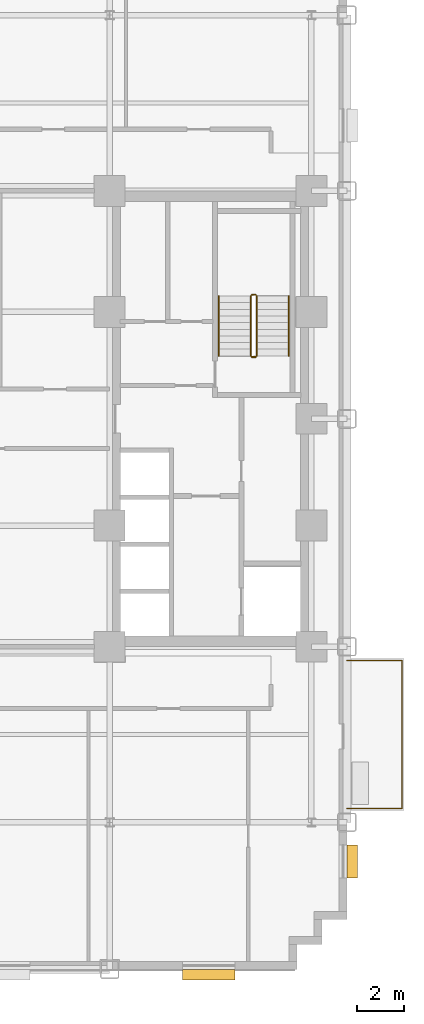
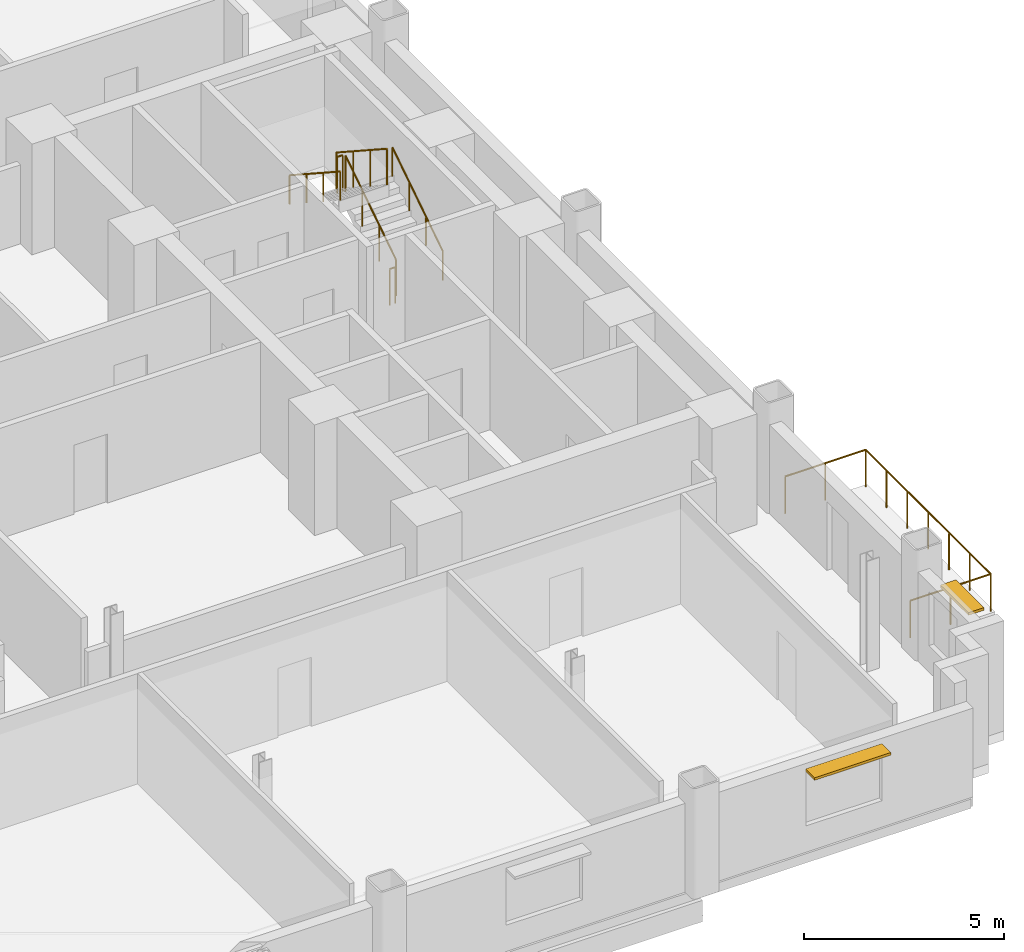
# One storey, part 11 of 12: 7 railings, 2 shading devices.
"""IFC4 building model written with IfcOpenShell, lengths in metres."""

import ifcopenshell
import ifcopenshell.guid

model = None  # the IFC model being written
_history = None  # IfcOwnerHistory: only IFC2X3 demands one
_inside = {}  # id of a spatial element -> (the spatial element, [elements in it])
_under = {}  # id of a project, library or spatial element -> (it, [spatial elements below it])
_declared = {}  # id of a project -> (the project, [libraries it declares])
_typed = {}  # id of a type object -> (the type object, [elements of that type])
_made_of = {}  # id of a material, layer set ... -> (it, [elements and type objects made of it])


def new_model(schema):
    """Start an empty IFC model of exactly this schema.

    Asked for "IFC4X3", IfcOpenShell would pick the latest addendum, in which some entities
    have other attributes; the version numbers below select the first issue.
    IFC2X3 requires an IfcOwnerHistory on every rooted entity: one is made here for all.
    """
    global model, _history
    if schema == "IFC4X3":
        model = ifcopenshell.file(schema_version=(4, 3, 0, 0))
    else:
        model = ifcopenshell.file(schema=schema)
    _inside.clear()
    _under.clear()
    _declared.clear()
    _typed.clear()
    _made_of.clear()
    _history = None
    if model.schema == "IFC2X3":
        org = make("IfcOrganization", Name="unknown")
        user = make(
            "IfcPersonAndOrganization",
            ThePerson=make("IfcPerson", FamilyName="unknown"),
            TheOrganization=org,
        )
        app = make(
            "IfcApplication",
            ApplicationDeveloper=org,
            Version="unknown",
            ApplicationFullName="unknown",
            ApplicationIdentifier="unknown",
        )
        _history = make(
            "IfcOwnerHistory",
            OwningUser=user,
            OwningApplication=app,
            ChangeAction="ADDED",
            CreationDate=0,
        )
    return model


def make(cls, **values):
    """One entity of the class cls with the attributes given. An attribute that is None is left unset."""
    return model.create_entity(
        cls, **{name: value for name, value in values.items() if value is not None}
    )


def rooted(cls, **values):
    """An entity with a GlobalId (a new one), such as an element, a storey or a relation."""
    return make(cls, GlobalId=ifcopenshell.guid.new(), OwnerHistory=_history, **values)


def si_unit(unit_type, name, prefix=None):
    """IfcSIUnit, for example si_unit("LENGTHUNIT", "METRE", prefix="MILLI")."""
    return make("IfcSIUnit", UnitType=unit_type, Prefix=prefix, Name=name)


def assignment(units):
    """IfcUnitAssignment: the units of a project."""
    return None if units is None else make("IfcUnitAssignment", Units=units)


def point(xyz):
    """IfcCartesianPoint."""
    return None if xyz is None else make("IfcCartesianPoint", Coordinates=xyz)


def direction(xyz):
    """IfcDirection."""
    return None if xyz is None else make("IfcDirection", DirectionRatios=xyz)


def frame(location, z_axis=None, x_axis=None):
    """IfcAxis2Placement3D, a coordinate frame: its origin and axes. An axis left out is left unset."""
    return make(
        "IfcAxis2Placement3D",
        Location=point(location),
        Axis=direction(z_axis),
        RefDirection=direction(x_axis),
    )


def frame_2d(location, x_axis=None):
    """IfcAxis2Placement2D, a coordinate frame in the plane: its origin and x axis."""
    return make(
        "IfcAxis2Placement2D", Location=point(location), RefDirection=direction(x_axis)
    )


def origin():
    """The frame at (0, 0, 0) with its axes left unset."""
    return frame((0.0, 0.0, 0.0))


def origin_2d():
    """The frame at (0, 0) in the plane with its x axis left unset."""
    return frame_2d((0.0, 0.0))


def place(relative_to, where):
    """IfcLocalPlacement: puts the frame where relative to a parent placement (None: the world)."""
    return make(
        "IfcLocalPlacement", PlacementRelTo=relative_to, RelativePlacement=where
    )


def context(
    kind, dimensions, precision=None, world=None, true_north=None, identifier=None
):
    """IfcGeometricRepresentationContext, for example the 3D "Model" context."""
    return make(
        "IfcGeometricRepresentationContext",
        ContextIdentifier=identifier,
        ContextType=kind,
        CoordinateSpaceDimension=dimensions,
        Precision=precision,
        WorldCoordinateSystem=world,
        TrueNorth=true_north,
    )


def subcontext(parent, identifier, kind, view, scale=None):
    """IfcGeometricRepresentationSubContext, for example "Body" below "Model"."""
    return make(
        "IfcGeometricRepresentationSubContext",
        ContextIdentifier=identifier,
        ContextType=kind,
        ParentContext=parent,
        TargetScale=scale,
        TargetView=view,
    )


def project(units=None, contexts=None):
    """IfcProject with its units and contexts."""
    return rooted(
        "IfcProject",
        Name="project",
        RepresentationContexts=contexts,
        UnitsInContext=assignment(units),
    )


def spatial(cls, under=None, at=None, **own):
    """A site, building, storey or space (cls), placed at a placement, below another one or the project."""
    s = rooted(cls, ObjectPlacement=at, **own)
    if under is not None:
        _under.setdefault(under.id(), (under, []))[1].append(s)
    return s


def profile(cls, at=None, kind="AREA", **sizes):
    """A parametric profile (cls). Its sizes go by their IFC names, for example OverallWidth=200.0."""
    return make(cls, ProfileType=kind, Position=at, **sizes)


def rectangle(**sizes):
    """IfcRectangleProfileDef."""
    return profile("IfcRectangleProfileDef", **sizes)


def circle(**sizes):
    """IfcCircleProfileDef."""
    return profile("IfcCircleProfileDef", **sizes)


def extrude(swept, where, along, depth):
    """IfcExtrudedAreaSolid: the profile swept, set in the frame where, extruded along a direction by depth."""
    return make(
        "IfcExtrudedAreaSolid",
        SweptArea=swept,
        Position=where,
        ExtrudedDirection=direction(along),
        Depth=depth,
    )


def shape(context_of_items, identifier, shape_type, items):
    """IfcShapeRepresentation: the items that make up one representation, for example the "Body"."""
    return make(
        "IfcShapeRepresentation",
        ContextOfItems=context_of_items,
        RepresentationIdentifier=identifier,
        RepresentationType=shape_type,
        Items=items,
    )


def source(mapping_origin, context_of_items, identifier, shape_type, items):
    """IfcRepresentationMap: a shape defined once, which mapped items show again and again."""
    return make(
        "IfcRepresentationMap",
        MappingOrigin=mapping_origin,
        MappedRepresentation=shape(context_of_items, identifier, shape_type, items),
    )


def transform(
    local_origin,
    x_axis=None,
    y_axis=None,
    z_axis=None,
    scale=None,
    scale2=None,
    scale3=None,
    uniform=True,
):
    """IfcCartesianTransformationOperator3D, or its non-uniform kind. x_axis, y_axis, z_axis: its Axis1, 2, 3."""
    if uniform:
        return make(
            "IfcCartesianTransformationOperator3D",
            Axis1=direction(x_axis),
            Axis2=direction(y_axis),
            LocalOrigin=point(local_origin),
            Scale=scale,
            Axis3=direction(z_axis),
        )
    return make(
        "IfcCartesianTransformationOperator3DnonUniform",
        Axis1=direction(x_axis),
        Axis2=direction(y_axis),
        LocalOrigin=point(local_origin),
        Scale=scale,
        Axis3=direction(z_axis),
        Scale2=scale2,
        Scale3=scale3,
    )


def mapped(mapping_source, mapping_target):
    """IfcMappedItem: shows the shape of a source again, moved by a transform."""
    return make(
        "IfcMappedItem", MappingSource=mapping_source, MappingTarget=mapping_target
    )


def material(Name=None, Category=None):
    """IfcMaterial."""
    return make("IfcMaterial", Name=Name, Category=Category)


def made_of(thing, what):
    """Note that an element or type object is made of a material, layer set ...; save() writes the relation."""
    if what is not None:
        _made_of.setdefault(what.id(), (what, []))[1].append(thing)
    return thing


def type_object(cls, material=None, **own):
    """A type object (cls), such as IfcWallType, which elements share."""
    return made_of(rooted(cls, **own), material)


def type_shapes(of_type, sources):
    """Give a type object the sources (RepresentationMaps) that its elements show as mapped items."""
    of_type.RepresentationMaps = sources


def element(
    cls,
    number,
    at=None,
    inside=None,
    cuts=None,
    type_object=None,
    material=None,
    context=None,
    identifier="Body",
    shape_type=None,
    held_by="IfcProductDefinitionShape",
    body=None,
    shapes=None,
    **own,
):
    """One element of the class cls, such as IfcWall. Its Tag is "e" and its number.

    at: its placement. inside: the storey or other place that contains it. cuts: it is an
    opening in that element (IfcRelVoidsElement). A single representation is given by context,
    identifier, shape_type and body (its items); several are given by shapes. held_by: the class
    of the entity that holds the representations. save() writes the other relations.
    """
    e = rooted(cls, Tag="e%d" % number, ObjectPlacement=at, **own)
    if body is not None:
        shapes = [shape(context, identifier, shape_type, body)]
    if shapes is not None:
        e.Representation = make(held_by, Representations=shapes)
    if inside is not None:
        _inside.setdefault(inside.id(), (inside, []))[1].append(e)
    if cuts is not None:
        rooted(
            "IfcRelVoidsElement", RelatingBuildingElement=cuts, RelatedOpeningElement=e
        )
    if type_object is not None:
        _typed.setdefault(type_object.id(), (type_object, []))[1].append(e)
    return made_of(e, material)


def aggregate(whole, parts):
    """IfcRelAggregates: a whole, such as a stair, and the parts it consists of."""
    return rooted("IfcRelAggregates", RelatingObject=whole, RelatedObjects=parts)


def save(model, path):
    """Write the relations noted so far, then the file.

    IfcRelAggregates (storeys below a building ...), IfcRelContainedInSpatialStructure (elements
    in a storey), IfcRelDefinesByType, IfcRelAssociatesMaterial and IfcRelDeclares: one each for
    every whole, place, type object, material and project.
    """
    for whole, parts in _under.values():
        aggregate(whole, parts)
    for where, things in _inside.values():
        rooted(
            "IfcRelContainedInSpatialStructure",
            RelatedElements=things,
            RelatingStructure=where,
        )
    for kind, things in _typed.values():
        rooted("IfcRelDefinesByType", RelatedObjects=things, RelatingType=kind)
    for what, things in _made_of.values():
        rooted("IfcRelAssociatesMaterial", RelatedObjects=things, RelatingMaterial=what)
    for by, libraries in _declared.values():
        rooted("IfcRelDeclares", RelatingContext=by, RelatedDefinitions=libraries)
    model.write(path)


model = new_model("IFC4")

# Units and contexts
model_context = context("Model", 3, precision=1e-05, world=origin(), true_north=direction((0.0, 1.0)))
body_context = subcontext(model_context, "Body", "Model", "MODEL_VIEW")
ifc_project = project(units=[si_unit("LENGTHUNIT", "METRE"), si_unit("AREAUNIT", "SQUARE_METRE"), si_unit("VOLUMEUNIT", "CUBIC_METRE"), si_unit("PLANEANGLEUNIT", "RADIAN"), si_unit("MASSUNIT", "GRAM", prefix="KILO")], contexts=[model_context])

# Site, building, storey
site_placement = place(None, origin())
site = spatial("IfcSite", under=ifc_project, at=site_placement, CompositionType="ELEMENT")
building_placement = place(site_placement, origin())
building = spatial("IfcBuilding", under=site, at=building_placement, Name="Nuvemarco Arch Tower", CompositionType="ELEMENT")
storey_placement = place(building_placement, frame((0.0, 0.0, 42.199951171875)))
storey = spatial("IfcBuildingStorey", under=building, at=storey_placement, Name="L10", CompositionType="ELEMENT", Elevation=42.199951171875)

# Railings
ifc_material_1 = material(Name="Brushed stainless steel handrail", Category="steel")
railing_type_1 = type_object("IfcRailingType", Name="RL-HANDRAIL-900", PredefinedType="HANDRAIL", material=ifc_material_1)
railing_1_placement = place(storey_placement, frame((16.550048828125, 2.64990234375, 0.1826171875)))
element("IfcRailing", 1, at=railing_1_placement, inside=storey, type_object=railing_type_1, Name="L10 ST-2 stair handrail 1", PredefinedType="HANDRAIL", context=body_context, shape_type="SweptSolid", body=[
    extrude(circle(Radius=0.02392578125, at=origin_2d()), frame((0.0, 0.0, 0.8759765625), z_axis=(0.0, 0.837786554691, 0.545997883492), x_axis=(-1.0, 0.0, 0.0)), (0.0, 0.0, 1.0), 3.008056640625),
    extrude(circle(Radius=0.02099609375, at=origin_2d()), origin(), (0.0, 0.0, 1.0), 0.851806640625),
    extrude(circle(Radius=0.02099609375, at=origin_2d()), frame((0.0, 0.840087890625, 0.54736328125)), (0.0, 0.0, 1.0), 0.851806640625),
    extrude(circle(Radius=0.02099609375, at=origin_2d()), frame((0.0, 1.679931640625, 1.094970703125)), (0.0, 0.0, 1.0), 0.851806640625),
    extrude(circle(Radius=0.02099609375, at=origin_2d()), frame((0.0, 2.52001953125, 1.642333984375)), (0.0, 0.0, 1.0), 0.851806640625),
])
railing_2_placement = place(storey_placement, frame((13.590087890625, 5.169921875, 2.007568359375)))
element("IfcRailing", 2, at=railing_2_placement, inside=storey, type_object=railing_type_1, Name="L10 ST-2 stair handrail 2", PredefinedType="HANDRAIL", context=body_context, shape_type="SweptSolid", body=[
    extrude(circle(Radius=0.02392578125, at=origin_2d()), frame((0.0, 0.0, 0.8759765625), z_axis=(0.0, -0.837749427056, 0.546054848405), x_axis=(1.0, 0.0, 0.0)), (0.0, 0.0, 1.0), 3.008056640625),
    extrude(circle(Radius=0.02099609375, at=origin_2d()), origin(), (0.0, 0.0, 1.0), 0.851806640625),
    extrude(circle(Radius=0.02099609375, at=origin_2d()), frame((0.0, -0.840087890625, 0.547607421875)), (0.0, 0.0, 1.0), 0.851806640625),
    extrude(circle(Radius=0.02099609375, at=origin_2d()), frame((0.0, -1.679931640625, 1.094970703125)), (0.0, 0.0, 1.0), 0.851806640625),
    extrude(circle(Radius=0.02099609375, at=origin_2d()), frame((0.0, -2.52001953125, 1.642578125)), (0.0, 0.0, 1.0), 0.851806640625),
])
ifc_material_2 = material(Name="Painted balustrade steel S355", Category="steel")
railing_type_2 = type_object("IfcRailingType", Name="RL-STAIR-GUARD", PredefinedType="GUARDRAIL", material=ifc_material_2)
railing_3_placement = place(storey_placement, frame((15.199951171875, 2.64990234375, 0.1826171875)))
element("IfcRailing", 3, at=railing_3_placement, inside=storey, type_object=railing_type_2, Name="L10 ST-2 stair guard 1", PredefinedType="GUARDRAIL", context=body_context, shape_type="SweptSolid", body=[
    extrude(circle(Radius=0.02392578125, at=origin_2d()), frame((0.0, 0.0, 1.09619140625), z_axis=(0.0, 0.837786554691, 0.545997883492), x_axis=(-1.0, 0.0, 0.0)), (0.0, 0.0, 1.0), 3.008056640625),
    extrude(circle(Radius=0.02099609375, at=origin_2d()), origin(), (0.0, 0.0, 1.0), 1.072021484375),
    extrude(circle(Radius=0.02099609375, at=origin_2d()), frame((0.0, 0.840087890625, 0.54736328125)), (0.0, 0.0, 1.0), 1.072021484375),
    extrude(circle(Radius=0.02099609375, at=origin_2d()), frame((0.0, 1.679931640625, 1.094970703125)), (0.0, 0.0, 1.0), 1.072021484375),
    extrude(circle(Radius=0.02099609375, at=origin_2d()), frame((0.0, 2.52001953125, 1.642333984375)), (0.0, 0.0, 1.0), 1.072021484375),
])
railing_4_placement = place(storey_placement, frame((15.14990234375, 5.219970703125, 1.824951171875)))
element("IfcRailing", 4, at=railing_4_placement, inside=storey, type_object=railing_type_2, Name="L10 ST-2 stair guard 2", PredefinedType="GUARDRAIL", context=body_context, shape_type="SweptSolid", body=[
    extrude(circle(Radius=0.02392578125, at=origin_2d()), frame((0.0, 0.0, 1.09619140625), z_axis=(-1.0, 0.0, 0.0), x_axis=(0.0, -1.0, 0.0)), (0.0, 0.0, 1.0), 0.159912109375),
    extrude(circle(Radius=0.02099609375, at=origin_2d()), origin(), (0.0, 0.0, 1.0), 1.072021484375),
    extrude(circle(Radius=0.02099609375, at=origin_2d()), frame((-0.159912109375, 0.0, 0.0)), (0.0, 0.0, 1.0), 1.072021484375),
])
railing_5_placement = place(storey_placement, frame((14.93994140625, 5.169921875, 2.007568359375)))
element("IfcRailing", 5, at=railing_5_placement, inside=storey, type_object=railing_type_2, Name="L10 ST-2 stair guard 3", PredefinedType="GUARDRAIL", context=body_context, shape_type="SweptSolid", body=[
    extrude(circle(Radius=0.02392578125, at=origin_2d()), frame((0.0, 0.0, 1.09619140625), z_axis=(0.0, -0.837749427056, 0.546054848405), x_axis=(1.0, 0.0, 0.0)), (0.0, 0.0, 1.0), 3.008056640625),
    extrude(circle(Radius=0.02099609375, at=origin_2d()), origin(), (0.0, 0.0, 1.0), 1.072021484375),
    extrude(circle(Radius=0.02099609375, at=origin_2d()), frame((0.0, -0.840087890625, 0.547607421875)), (0.0, 0.0, 1.0), 1.072021484375),
    extrude(circle(Radius=0.02099609375, at=origin_2d()), frame((0.0, -1.679931640625, 1.094970703125)), (0.0, 0.0, 1.0), 1.072021484375),
    extrude(circle(Radius=0.02099609375, at=origin_2d()), frame((0.0, -2.52001953125, 1.642578125)), (0.0, 0.0, 1.0), 1.072021484375),
])
railing_6_placement = place(storey_placement, frame((15.14990234375, 2.60009765625, 0.0)))
element("IfcRailing", 6, at=railing_6_placement, inside=storey, type_object=railing_type_2, Name="L10 ST-2 stair guard 4", PredefinedType="GUARDRAIL", context=body_context, shape_type="SweptSolid", body=[
    extrude(circle(Radius=0.02392578125, at=origin_2d()), frame((0.0, 0.0, 1.09619140625), z_axis=(-1.0, 0.0, 0.0), x_axis=(0.0, -1.0, 0.0)), (0.0, 0.0, 1.0), 0.159912109375),
    extrude(circle(Radius=0.02099609375, at=origin_2d()), origin(), (0.0, 0.0, 1.0), 1.072021484375),
    extrude(circle(Radius=0.02099609375, at=origin_2d()), frame((-0.159912109375, 0.0, 0.0)), (0.0, 0.0, 1.0), 1.072021484375),
])
ifc_material_3 = material(Name="Dark anodised balustrade steel S355", Category="steel")
railing_type_3 = type_object("IfcRailingType", Name="RL-TERR-GUARD", PredefinedType="BALUSTRADE", material=ifc_material_3)
railing_7_placement = place(storey_placement, frame((19.0, -16.419921875, 0.0)))
element("IfcRailing", 7, at=railing_7_placement, inside=storey, type_object=railing_type_3, Name="L10 spiral terrace perimeter balustrade guard", PredefinedType="BALUSTRADE", context=body_context, shape_type="SweptSolid", body=[
    extrude(circle(Radius=0.02392578125, at=origin_2d()), frame((0.0, 0.0, 1.1259765625), z_axis=(1.0, 0.0, 0.0), x_axis=(0.0, 1.0, 0.0)), (0.0, 0.0, 1.0), 2.320068359375),
    extrude(circle(Radius=0.02392578125, at=origin_2d()), frame((2.320068359375, 0.0, 1.1259765625), z_axis=(0.0, 1.0, 0.0), x_axis=(-1.0, 0.0, 0.0)), (0.0, 0.0, 1.0), 6.239990234375),
    extrude(circle(Radius=0.02392578125, at=origin_2d()), frame((2.320068359375, 6.239990234375, 1.1259765625), z_axis=(-1.0, 0.0, 0.0), x_axis=(0.0, -1.0, 0.0)), (0.0, 0.0, 1.0), 2.320068359375),
    extrude(circle(Radius=0.02099609375, at=origin_2d()), origin(), (0.0, 0.0, 1.0), 1.101806640625),
    extrude(circle(Radius=0.02099609375, at=origin_2d()), frame((1.16015625, 0.0, 0.0)), (0.0, 0.0, 1.0), 1.101806640625),
    extrude(circle(Radius=0.02099609375, at=origin_2d()), frame((2.320068359375, 0.0, 0.0)), (0.0, 0.0, 1.0), 1.101806640625),
    extrude(circle(Radius=0.02099609375, at=origin_2d()), frame((2.320068359375, 1.0400390625, 0.0)), (0.0, 0.0, 1.0), 1.101806640625),
    extrude(circle(Radius=0.02099609375, at=origin_2d()), frame((2.320068359375, 2.080078125, 0.0)), (0.0, 0.0, 1.0), 1.101806640625),
    extrude(circle(Radius=0.02099609375, at=origin_2d()), frame((2.320068359375, 3.1201171875, 0.0)), (0.0, 0.0, 1.0), 1.101806640625),
    extrude(circle(Radius=0.02099609375, at=origin_2d()), frame((2.320068359375, 4.159912109375, 0.0)), (0.0, 0.0, 1.0), 1.101806640625),
    extrude(circle(Radius=0.02099609375, at=origin_2d()), frame((2.320068359375, 5.199951171875, 0.0)), (0.0, 0.0, 1.0), 1.101806640625),
    extrude(circle(Radius=0.02099609375, at=origin_2d()), frame((2.320068359375, 6.239990234375, 0.0)), (0.0, 0.0, 1.0), 1.101806640625),
    extrude(circle(Radius=0.02099609375, at=origin_2d()), frame((1.16015625, 6.239990234375, 0.0)), (0.0, 0.0, 1.0), 1.101806640625),
    extrude(circle(Radius=0.02099609375, at=origin_2d()), frame((0.0, 6.239990234375, 0.0)), (0.0, 0.0, 1.0), 1.101806640625),
])

# Shading devices
ifc_material_4 = material(Name="Anodised aluminium 6063-T6", Category="aluminium")
shading_device_type_1 = type_object("IfcShadingDeviceType", Name="SHD-BRISE-SOLEIL", PredefinedType="USERDEFINED", material=ifc_material_4)
shared_shape_1 = source(origin(), body_context, "Body", "SweptSolid", [
    extrude(rectangle(XDim=2.199951171875, YDim=0.449951171875, at=origin_2d()), origin(), (0.0, 0.0, 1.0), 0.080078125),
])
type_shapes(shading_device_type_1, [shared_shape_1])
shading_device_1_placement = place(storey_placement, frame((13.1787109375, -23.4150390625, 2.455078125), z_axis=(0.0, 0.0, 1.0), x_axis=(1.0, 0.0, 0.0)))
element("IfcShadingDevice", 8, at=shading_device_1_placement, inside=storey, type_object=shading_device_type_1, Name="L10 horizontal brise-soleil sunshade", ObjectType="SUNSHADE", PredefinedType="USERDEFINED", context=body_context, shape_type="MappedRepresentation", body=[
    mapped(shared_shape_1, transform((0.0, 0.0, 0.0), scale=1.0)),
])
shading_device_type_2 = type_object("IfcShadingDeviceType", Name="SHD-BRISE-NARROW", PredefinedType="USERDEFINED", material=ifc_material_4)
shared_shape_2 = source(origin(), body_context, "Body", "SweptSolid", [
    extrude(rectangle(XDim=1.39990234375, YDim=0.449951171875, at=origin_2d()), origin(), (0.0, 0.0, 1.0), 0.080078125),
])
type_shapes(shading_device_type_2, [shared_shape_2])
shading_device_2_placement = place(storey_placement, frame((19.215087890625, -18.6435546875, 2.455078125), z_axis=(0.0, 0.0, 1.0), x_axis=(0.0, 1.0, 0.0)))
element("IfcShadingDevice", 9, at=shading_device_2_placement, inside=storey, type_object=shading_device_type_2, Name="L10 horizontal brise-soleil sunshade", ObjectType="SUNSHADE", PredefinedType="USERDEFINED", context=body_context, shape_type="MappedRepresentation", body=[
    mapped(shared_shape_2, transform((0.0, 0.0, 0.0), scale=1.0)),
])

save(model, "model.ifc")
